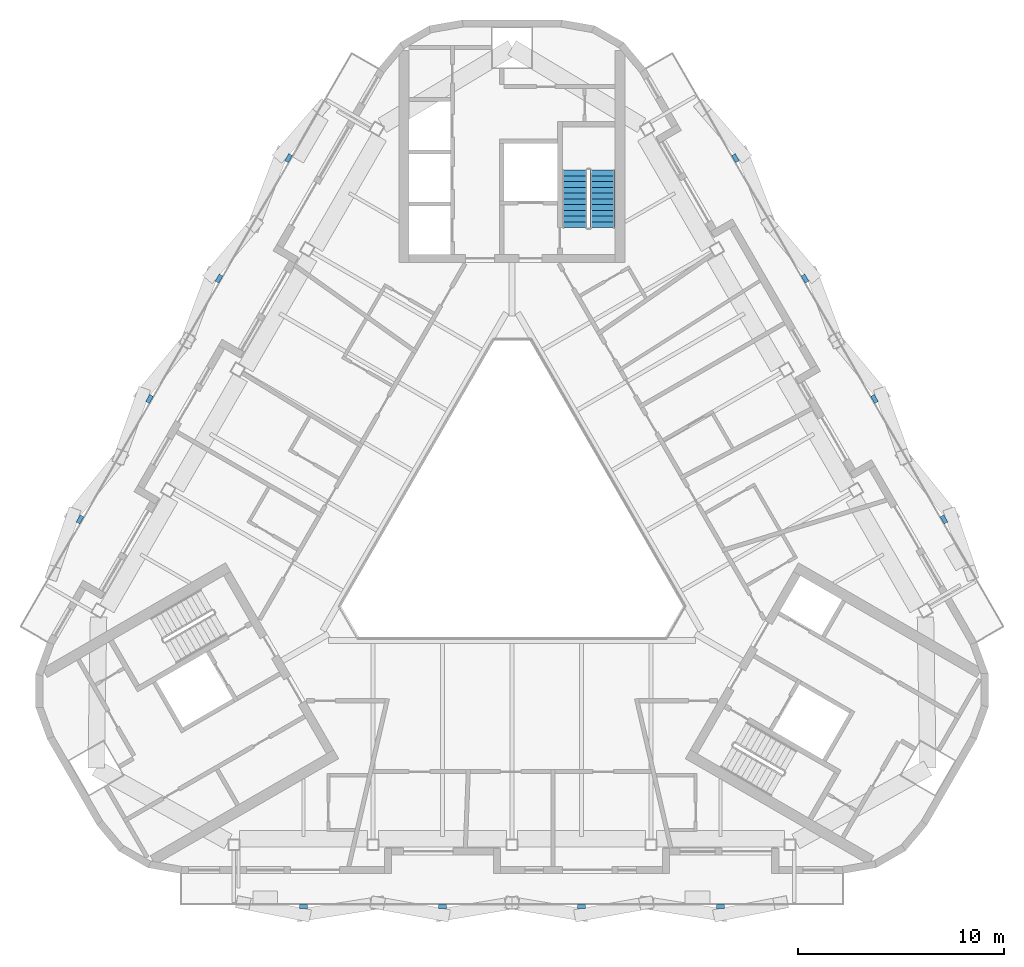
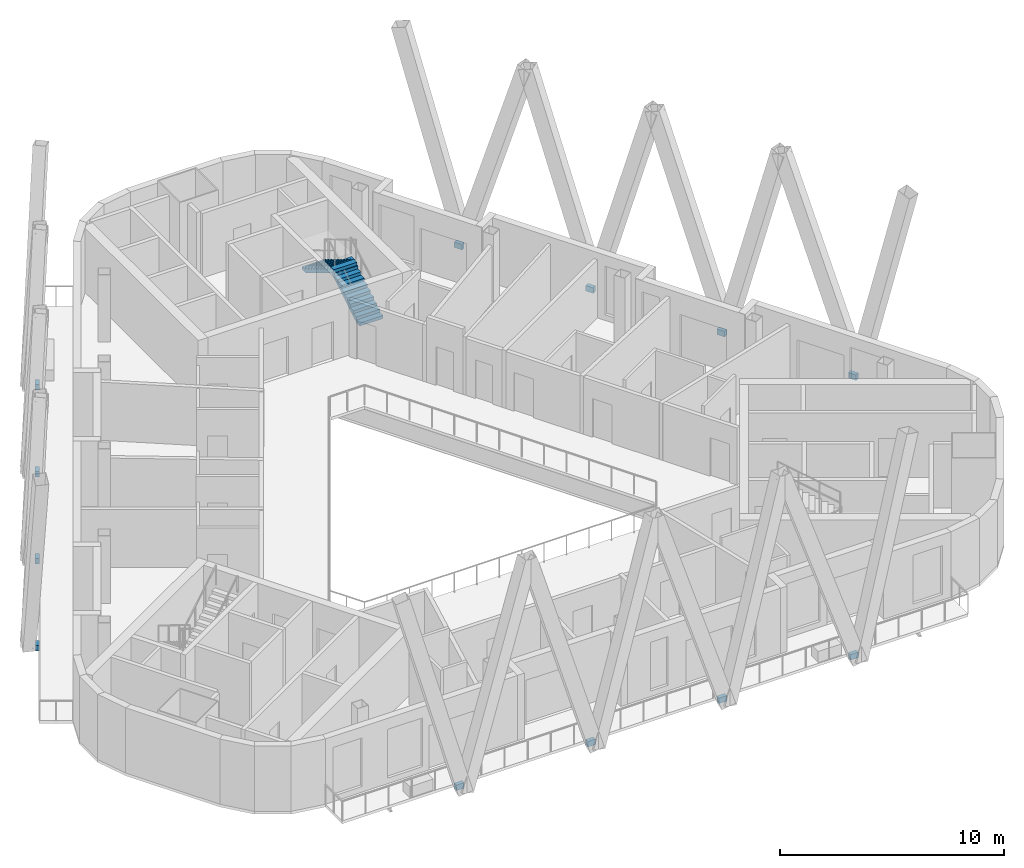
# One storey, part 8 of 12: 12 discrete accessories, 2 stair flights, 1 element without a shape of its own.
"""IFC4 building model written with IfcOpenShell, lengths in metres."""

from ifc_helpers import new_model, si_unit, direction, frame, origin, origin_2d, place, context, subcontext, project, spatial, polyline, rectangle, outline, extrude, material, type_object, element, aggregate, save


model = new_model("IFC4")

# Units and contexts
model_context = context("Model", 3, precision=1e-05, world=origin(), true_north=direction((0.0, 1.0)))
body_context = subcontext(model_context, "Body", "Model", "MODEL_VIEW")
ifc_project = project(units=[si_unit("LENGTHUNIT", "METRE"), si_unit("AREAUNIT", "SQUARE_METRE"), si_unit("VOLUMEUNIT", "CUBIC_METRE"), si_unit("PLANEANGLEUNIT", "RADIAN"), si_unit("MASSUNIT", "GRAM", prefix="KILO")], contexts=[model_context])

# Site, building, storey
site_placement = place(None, origin())
site = spatial("IfcSite", under=ifc_project, at=site_placement, CompositionType="ELEMENT")
building_placement = place(site_placement, origin())
building = spatial("IfcBuilding", under=site, at=building_placement, Name="Apuvela Tower Hotel", CompositionType="ELEMENT")
storey_placement = place(building_placement, frame((0.0, 0.0, 302.199951171875)))
storey = spatial("IfcBuildingStorey", under=building, at=storey_placement, Name="L75", CompositionType="ELEMENT", Elevation=302.199951171875)

# Stair, stair flights
ifc_material_1 = material(Name="Concrete C50/60", Category="concrete")
stair_type = type_object("IfcStairType", Name="COR-STAIR-22R", PredefinedType="HALF_TURN_STAIR", material=ifc_material_1)
stair_placement = place(storey_placement, origin())
stair = element("IfcStair", 1, at=stair_placement, inside=storey, type_object=stair_type, Name="L75 Exit stair ST1", PredefinedType="HALF_TURN_STAIR")
stair_flight_type = type_object("IfcStairFlightType", Name="COR-FLIGHT-11R", PredefinedType="STRAIGHT", material=ifc_material_1)
stair_flight_1_placement = place(storey_placement, frame((4.39990234375, 14.60009765625, 0.0), z_axis=(0.0, 0.0, 1.0), x_axis=(0.0, 1.0, 0.0)))
stair_flight_1 = element("IfcStairFlight", 2, at=stair_flight_1_placement, type_object=stair_flight_type, Name="ST1 flight 1", NumberOfRisers=11, NumberOfTreads=10, PredefinedType="STRAIGHT", RiserHeight=0.168181818, TreadLength=0.28, context=body_context, shape_type="SweptSolid", body=[
    extrude(outline(polyline([(0.0, 0.0), (0.0, 0.168212890625), (0.280029296875, 0.168212890625), (0.280029296875, 0.33642578125), (0.56005859375, 0.33642578125), (0.56005859375, 0.504638671875), (0.840087890625, 0.504638671875), (0.840087890625, 0.672607421875), (1.1201171875, 0.672607421875), (1.1201171875, 0.8408203125), (1.39990234375, 0.8408203125), (1.39990234375, 1.009033203125), (1.679931640625, 1.009033203125), (1.679931640625, 1.17724609375), (1.9599609375, 1.17724609375), (1.9599609375, 1.345458984375), (2.239990234375, 1.345458984375), (2.239990234375, 1.513671875), (2.52001953125, 1.513671875), (2.52001953125, 1.681884765625), (2.800048828125, 1.681884765625), (2.800048828125, 1.85009765625), (2.800048828125, 1.5068359375), (0.291015625, 0.0), (0.0, 0.0)])), frame((0.0, 0.60009765625, 0.0), z_axis=(0.0, -1.0, 0.0), x_axis=(1.0, 0.0, 0.0)), (0.0, 0.0, 1.0), 1.199951171875),
])
stair_flight_2_placement = place(storey_placement, frame((3.050048828125, 17.39990234375, 1.85009765625), z_axis=(0.0, 0.0, 1.0), x_axis=(0.0, -1.0, 0.0)))
stair_flight_2 = element("IfcStairFlight", 3, at=stair_flight_2_placement, type_object=stair_flight_type, Name="ST1 flight 2", NumberOfRisers=11, NumberOfTreads=10, PredefinedType="STRAIGHT", RiserHeight=0.168181818, TreadLength=0.28, context=body_context, shape_type="SweptSolid", body=[
    extrude(outline(polyline([(0.0, 0.0), (0.0, 0.168212890625), (0.280029296875, 0.168212890625), (0.280029296875, 0.33642578125), (0.56005859375, 0.33642578125), (0.56005859375, 0.504638671875), (0.840087890625, 0.504638671875), (0.840087890625, 0.672607421875), (1.1201171875, 0.672607421875), (1.1201171875, 0.8408203125), (1.39990234375, 0.8408203125), (1.39990234375, 1.009033203125), (1.679931640625, 1.009033203125), (1.679931640625, 1.17724609375), (1.9599609375, 1.17724609375), (1.9599609375, 1.345458984375), (2.239990234375, 1.345458984375), (2.239990234375, 1.513671875), (2.52001953125, 1.513671875), (2.52001953125, 1.681884765625), (2.800048828125, 1.681884765625), (2.800048828125, 1.85009765625), (2.800048828125, 1.5068359375), (0.291015625, 0.0), (0.0, 0.0)])), frame((0.0, 0.60009765625, 0.0), z_axis=(0.0, -1.0, 0.0), x_axis=(1.0, 0.0, 0.0)), (0.0, 0.0, 1.0), 1.199951171875),
])
aggregate(stair, [stair_flight_1, stair_flight_2])

# Discrete accessories
ifc_material_2 = material(Name="Steel S355, black paint system", Category="steel")
discrete_accessory_type = type_object("IfcDiscreteAccessoryType", Name="ENV-FIN-BRACKET", PredefinedType="BRACKET", material=ifc_material_2)
for number, where, z_axis, x_axis, name in (
    (4, (20.999267578125, 0.417236328125, -0.25), (0.0, 0.0, 1.0), (-0.5, 0.866025403784, 0.0), "Fin bracket NE133"),
    (5, (17.619873046875, 6.2705078125, -0.25), (0.0, 0.0, 1.0), (-0.5, 0.866025403784, 0.0), "Fin bracket NE134"),
    (6, (14.240478515625, 12.1240234375, -0.25), (0.0, 0.0, 1.0), (-0.5, 0.866025403784, 0.0), "Fin bracket NE135"),
    (7, (10.861083984375, 17.977294921875, -0.25), (0.0, 0.0, 1.0), (-0.5, 0.866025403784, 0.0), "Fin bracket NE136"),
    (8, (-10.861083984375, 17.977294921875, -0.25), (0.0, 0.0, 1.0), (-0.5, -0.866025403784, 0.0), "Fin bracket NW282"),
    (9, (-14.240478515625, 12.1240234375, -0.25), (0.0, 0.0, 1.0), (-0.5, -0.866025403784, 0.0), "Fin bracket NW283"),
    (10, (-17.619873046875, 6.2705078125, -0.25), (0.0, 0.0, 1.0), (-0.5, -0.866025403784, 0.0), "Fin bracket NW284"),
    (11, (-20.999267578125, 0.417236328125, -0.25), (0.0, 0.0, 1.0), (-0.5, -0.866025403784, 0.0), "Fin bracket NW285"),
    (12, (-10.13818359375, -18.39453125, -0.25), (0.0, 0.0, 1.0), (1.0, 0.0, 0.0), "Fin bracket S432"),
    (13, (-3.37939453125, -18.39453125, -0.25), (0.0, 0.0, 1.0), (1.0, 0.0, 0.0), "Fin bracket S433"),
    (14, (3.37939453125, -18.39453125, -0.25), (0.0, 0.0, 1.0), (1.0, 0.0, 0.0), "Fin bracket S434"),
    (15, (10.13818359375, -18.39453125, -0.25), (0.0, 0.0, 1.0), (1.0, 0.0, 0.0), "Fin bracket S435"),
):
    element("IfcDiscreteAccessory", number, at=place(storey_placement, frame(where, z_axis=z_axis, x_axis=x_axis)), inside=storey, type_object=discrete_accessory_type, Name=name, PredefinedType="BRACKET", context=body_context, shape_type="SweptSolid", body=[
        extrude(rectangle(XDim=0.39990234375, YDim=0.199951171875, at=origin_2d()), origin(), (0.0, 0.0, 1.0), 0.300048828125),
    ])

save(model, "model.ifc")
